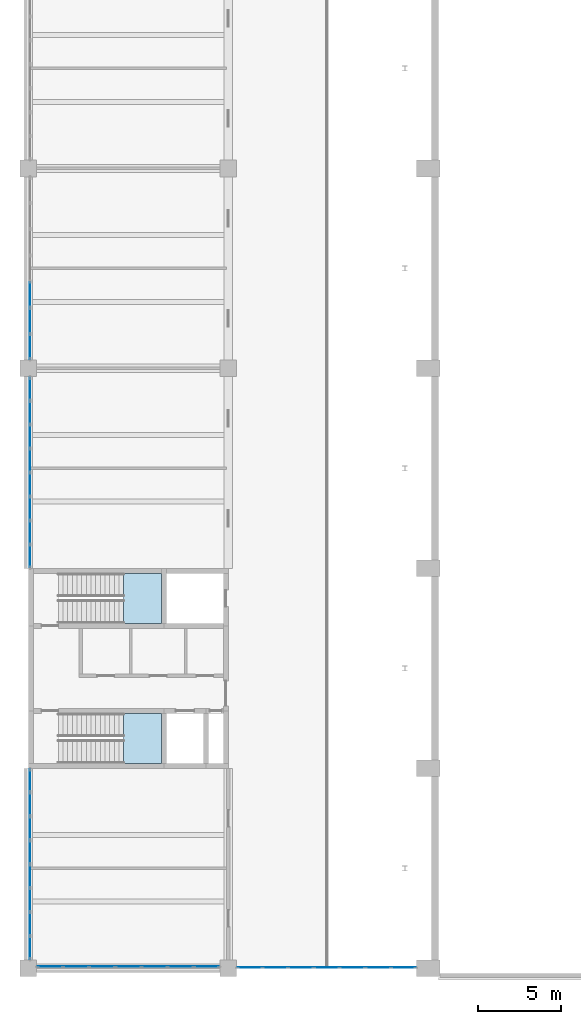
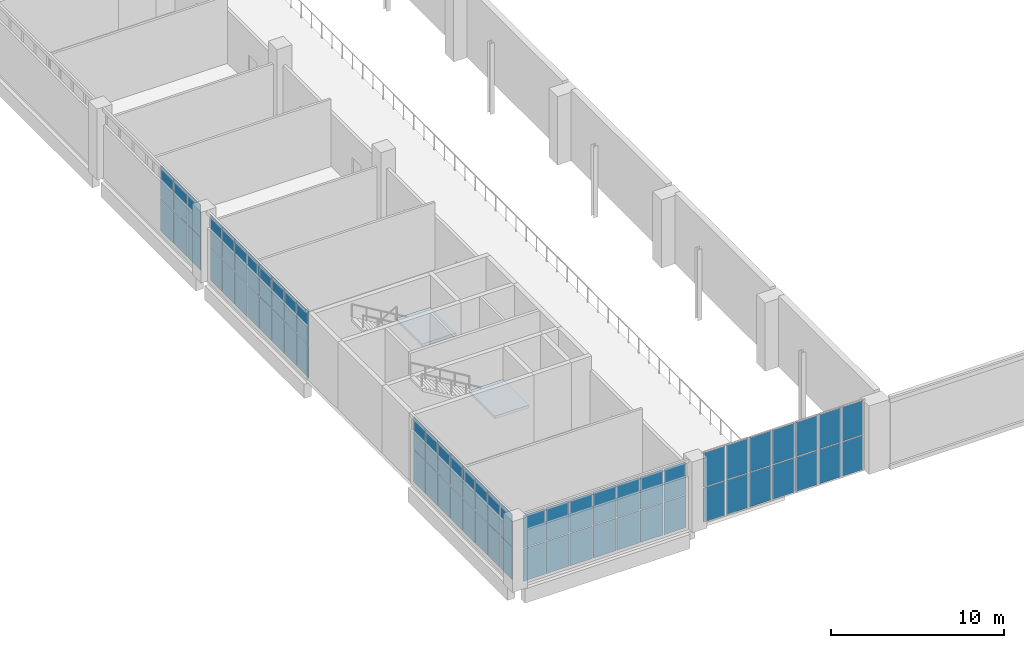
# One storey, part 42 of 69: 66 plates, 2 slabs, 7 elements without a shape of their own.
"""IFC4 building model written with IfcOpenShell, lengths in metres."""

from ifc_helpers import new_model, si_unit, direction, frame, origin, origin_2d, place, context, subcontext, project, spatial, polyline, rectangle, outline, extrude, material, layer, layer_set, type_object, element, aggregate, save


model = new_model("IFC4")

# Units and contexts
model_context = context("Model", 3, precision=1e-05, world=origin(), true_north=direction((0.0, 1.0)))
body_context = subcontext(model_context, "Body", "Model", "MODEL_VIEW")
ifc_project = project(units=[si_unit("LENGTHUNIT", "METRE"), si_unit("AREAUNIT", "SQUARE_METRE"), si_unit("VOLUMEUNIT", "CUBIC_METRE"), si_unit("PLANEANGLEUNIT", "RADIAN"), si_unit("MASSUNIT", "GRAM", prefix="KILO")], contexts=[model_context])

# Site, building, storey
site_placement = place(None, origin())
site = spatial("IfcSite", under=ifc_project, at=site_placement, CompositionType="ELEMENT")
building_placement = place(site_placement, origin())
building = spatial("IfcBuilding", under=site, at=building_placement, Name="Lilac Gate Convention Centre", CompositionType="ELEMENT")
storey_placement = place(building_placement, frame((0.0, 0.0, 12.0)))
storey = spatial("IfcBuildingStorey", under=building, at=storey_placement, Name="L02", CompositionType="ELEMENT", Elevation=12.0)

# Curtain wall, plates
ifc_material_1 = material(Name="Aluminium framed double glazing", Category="aluminium")
ifc_layer_1 = layer(ifc_material_1, 0.199951171875)
ifc_layer_set_1 = layer_set([ifc_layer_1], Name="Aluminium framed double glazing")
curtain_wall_type = type_object("IfcCurtainWallType", Name="Unitised curtain wall 1500", PredefinedType="NOTDEFINED", material=ifc_layer_set_1)
curtain_wall_1_placement = place(storey_placement, origin())
curtain_wall_1 = element("IfcCurtainWall", 1, at=curtain_wall_1_placement, inside=storey, type_object=curtain_wall_type, Name="Curtain wall PW L02 10", PredefinedType="NOTDEFINED")
ifc_material_2 = material(Name="Double glazed unit low emissivity")
ifc_layer_2 = layer(ifc_material_2, 0.028076171875)
ifc_layer_set_2 = layer_set([ifc_layer_2], Name="Double glazed unit low emissivity")
plate_type_1 = type_object("IfcPlateType", Name="Curtain wall glass panel 28", PredefinedType="CURTAIN_PANEL", material=ifc_layer_set_2)
plate_1_placement = place(storey_placement, frame((6.10009765625, 70.428466796875, 2.4052734375), z_axis=(0.0, 0.0, 1.0), x_axis=(0.0, -1.0, 0.0)))
plate_1 = element("IfcPlate", 2, at=plate_1_placement, type_object=plate_type_1, Name="CW panel 5.2", PredefinedType="CURTAIN_PANEL", context=body_context, shape_type="SweptSolid", body=[
    extrude(rectangle(XDim=1.511474609375, YDim=0.028076171875, at=origin_2d()), origin(), (0.0, 0.0, 1.0), 2.284912109375),
])
plate_2_placement = place(storey_placement, frame((6.10009765625, 68.857177734375, 2.4052734375), z_axis=(0.0, 0.0, 1.0), x_axis=(0.0, -1.0, 0.0)))
plate_2 = element("IfcPlate", 3, at=plate_2_placement, type_object=plate_type_1, Name="CW panel 6.2", PredefinedType="CURTAIN_PANEL", context=body_context, shape_type="SweptSolid", body=[
    extrude(rectangle(XDim=1.511474609375, YDim=0.028076171875, at=origin_2d()), origin(), (0.0, 0.0, 1.0), 2.284912109375),
])
plate_3_placement = place(storey_placement, frame((6.10009765625, 67.30078125, 2.4052734375), z_axis=(0.0, 0.0, 1.0), x_axis=(0.0, -1.0, 0.0)))
plate_3 = element("IfcPlate", 4, at=plate_3_placement, type_object=plate_type_1, Name="CW panel 7.2", PredefinedType="CURTAIN_PANEL", context=body_context, shape_type="SweptSolid", body=[
    extrude(rectangle(XDim=1.4814453125, YDim=0.028076171875, at=origin_2d()), origin(), (0.0, 0.0, 1.0), 2.284912109375),
])

curtain_wall_2_placement = place(storey_placement, origin())
curtain_wall_2 = element("IfcCurtainWall", 5, at=curtain_wall_2_placement, inside=storey, type_object=curtain_wall_type, Name="Curtain wall PW L02 11", PredefinedType="NOTDEFINED")
plate_4_placement = place(storey_placement, frame((6.10009765625, 64.766357421875, 2.4052734375), z_axis=(0.0, 0.0, 1.0), x_axis=(0.0, -1.0, 0.0)))
plate_4 = element("IfcPlate", 6, at=plate_4_placement, type_object=plate_type_1, Name="CW panel 1.2", PredefinedType="CURTAIN_PANEL", context=body_context, shape_type="SweptSolid", body=[
    extrude(rectangle(XDim=1.347412109375, YDim=0.028076171875, at=origin_2d()), origin(), (0.0, 0.0, 1.0), 2.284912109375),
])
plate_5_placement = place(storey_placement, frame((6.10009765625, 63.34375, 2.4052734375), z_axis=(0.0, 0.0, 1.0), x_axis=(0.0, -1.0, 0.0)))
plate_5 = element("IfcPlate", 7, at=plate_5_placement, type_object=plate_type_1, Name="CW panel 2.2", PredefinedType="CURTAIN_PANEL", context=body_context, shape_type="SweptSolid", body=[
    extrude(rectangle(XDim=1.37744140625, YDim=0.028076171875, at=origin_2d()), origin(), (0.0, 0.0, 1.0), 2.284912109375),
])
plate_6_placement = place(storey_placement, frame((6.10009765625, 61.90625, 2.4052734375), z_axis=(0.0, 0.0, 1.0), x_axis=(0.0, -1.0, 0.0)))
plate_6 = element("IfcPlate", 8, at=plate_6_placement, type_object=plate_type_1, Name="CW panel 3.2", PredefinedType="CURTAIN_PANEL", context=body_context, shape_type="SweptSolid", body=[
    extrude(rectangle(XDim=1.37744140625, YDim=0.028076171875, at=origin_2d()), origin(), (0.0, 0.0, 1.0), 2.284912109375),
])
plate_7_placement = place(storey_placement, frame((6.10009765625, 60.46875, 2.4052734375), z_axis=(0.0, 0.0, 1.0), x_axis=(0.0, -1.0, 0.0)))
plate_7 = element("IfcPlate", 9, at=plate_7_placement, type_object=plate_type_1, Name="CW panel 4.2", PredefinedType="CURTAIN_PANEL", context=body_context, shape_type="SweptSolid", body=[
    extrude(rectangle(XDim=1.37744140625, YDim=0.028076171875, at=origin_2d()), origin(), (0.0, 0.0, 1.0), 2.284912109375),
])
plate_8_placement = place(storey_placement, frame((6.10009765625, 59.03125, 2.4052734375), z_axis=(0.0, 0.0, 1.0), x_axis=(0.0, -1.0, 0.0)))
plate_8 = element("IfcPlate", 10, at=plate_8_placement, type_object=plate_type_1, Name="CW panel 5.2", PredefinedType="CURTAIN_PANEL", context=body_context, shape_type="SweptSolid", body=[
    extrude(rectangle(XDim=1.37744140625, YDim=0.028076171875, at=origin_2d()), origin(), (0.0, 0.0, 1.0), 2.284912109375),
])
plate_9_placement = place(storey_placement, frame((6.10009765625, 57.59375, 2.4052734375), z_axis=(0.0, 0.0, 1.0), x_axis=(0.0, -1.0, 0.0)))
plate_9 = element("IfcPlate", 11, at=plate_9_placement, type_object=plate_type_1, Name="CW panel 6.2", PredefinedType="CURTAIN_PANEL", context=body_context, shape_type="SweptSolid", body=[
    extrude(rectangle(XDim=1.37744140625, YDim=0.028076171875, at=origin_2d()), origin(), (0.0, 0.0, 1.0), 2.284912109375),
])
plate_10_placement = place(storey_placement, frame((6.10009765625, 56.15625, 2.4052734375), z_axis=(0.0, 0.0, 1.0), x_axis=(0.0, -1.0, 0.0)))
plate_10 = element("IfcPlate", 12, at=plate_10_placement, type_object=plate_type_1, Name="CW panel 7.2", PredefinedType="CURTAIN_PANEL", context=body_context, shape_type="SweptSolid", body=[
    extrude(rectangle(XDim=1.37744140625, YDim=0.028076171875, at=origin_2d()), origin(), (0.0, 0.0, 1.0), 2.284912109375),
])
plate_11_placement = place(storey_placement, frame((6.10009765625, 54.733642578125, 2.4052734375), z_axis=(0.0, 0.0, 1.0), x_axis=(0.0, -1.0, 0.0)))
plate_11 = element("IfcPlate", 13, at=plate_11_placement, type_object=plate_type_1, Name="CW panel 8.2", PredefinedType="CURTAIN_PANEL", context=body_context, shape_type="SweptSolid", body=[
    extrude(rectangle(XDim=1.347412109375, YDim=0.028076171875, at=origin_2d()), origin(), (0.0, 0.0, 1.0), 2.284912109375),
])

curtain_wall_3_placement = place(storey_placement, origin())
curtain_wall_3 = element("IfcCurtainWall", 14, at=curtain_wall_3_placement, inside=storey, type_object=curtain_wall_type, Name="Curtain wall PW L02 12", PredefinedType="NOTDEFINED")
plate_12_placement = place(storey_placement, frame((6.10009765625, 41.266357421875, 2.4052734375), z_axis=(0.0, 0.0, 1.0), x_axis=(0.0, -1.0, 0.0)))
plate_12 = element("IfcPlate", 15, at=plate_12_placement, type_object=plate_type_1, Name="CW panel 1.2", PredefinedType="CURTAIN_PANEL", context=body_context, shape_type="SweptSolid", body=[
    extrude(rectangle(XDim=1.347412109375, YDim=0.028076171875, at=origin_2d()), origin(), (0.0, 0.0, 1.0), 2.284912109375),
])
plate_13_placement = place(storey_placement, frame((6.10009765625, 39.84375, 2.4052734375), z_axis=(0.0, 0.0, 1.0), x_axis=(0.0, -1.0, 0.0)))
plate_13 = element("IfcPlate", 16, at=plate_13_placement, type_object=plate_type_1, Name="CW panel 2.2", PredefinedType="CURTAIN_PANEL", context=body_context, shape_type="SweptSolid", body=[
    extrude(rectangle(XDim=1.37744140625, YDim=0.028076171875, at=origin_2d()), origin(), (0.0, 0.0, 1.0), 2.284912109375),
])
plate_14_placement = place(storey_placement, frame((6.10009765625, 38.40625, 2.4052734375), z_axis=(0.0, 0.0, 1.0), x_axis=(0.0, -1.0, 0.0)))
plate_14 = element("IfcPlate", 17, at=plate_14_placement, type_object=plate_type_1, Name="CW panel 3.2", PredefinedType="CURTAIN_PANEL", context=body_context, shape_type="SweptSolid", body=[
    extrude(rectangle(XDim=1.37744140625, YDim=0.028076171875, at=origin_2d()), origin(), (0.0, 0.0, 1.0), 2.284912109375),
])
plate_15_placement = place(storey_placement, frame((6.10009765625, 36.96875, 2.4052734375), z_axis=(0.0, 0.0, 1.0), x_axis=(0.0, -1.0, 0.0)))
plate_15 = element("IfcPlate", 18, at=plate_15_placement, type_object=plate_type_1, Name="CW panel 4.2", PredefinedType="CURTAIN_PANEL", context=body_context, shape_type="SweptSolid", body=[
    extrude(rectangle(XDim=1.37744140625, YDim=0.028076171875, at=origin_2d()), origin(), (0.0, 0.0, 1.0), 2.284912109375),
])
plate_16_placement = place(storey_placement, frame((6.10009765625, 35.53125, 2.4052734375), z_axis=(0.0, 0.0, 1.0), x_axis=(0.0, -1.0, 0.0)))
plate_16 = element("IfcPlate", 19, at=plate_16_placement, type_object=plate_type_1, Name="CW panel 5.2", PredefinedType="CURTAIN_PANEL", context=body_context, shape_type="SweptSolid", body=[
    extrude(rectangle(XDim=1.37744140625, YDim=0.028076171875, at=origin_2d()), origin(), (0.0, 0.0, 1.0), 2.284912109375),
])
plate_17_placement = place(storey_placement, frame((6.10009765625, 34.09375, 2.4052734375), z_axis=(0.0, 0.0, 1.0), x_axis=(0.0, -1.0, 0.0)))
plate_17 = element("IfcPlate", 20, at=plate_17_placement, type_object=plate_type_1, Name="CW panel 6.2", PredefinedType="CURTAIN_PANEL", context=body_context, shape_type="SweptSolid", body=[
    extrude(rectangle(XDim=1.37744140625, YDim=0.028076171875, at=origin_2d()), origin(), (0.0, 0.0, 1.0), 2.284912109375),
])
plate_18_placement = place(storey_placement, frame((6.10009765625, 32.65625, 2.4052734375), z_axis=(0.0, 0.0, 1.0), x_axis=(0.0, -1.0, 0.0)))
plate_18 = element("IfcPlate", 21, at=plate_18_placement, type_object=plate_type_1, Name="CW panel 7.2", PredefinedType="CURTAIN_PANEL", context=body_context, shape_type="SweptSolid", body=[
    extrude(rectangle(XDim=1.37744140625, YDim=0.028076171875, at=origin_2d()), origin(), (0.0, 0.0, 1.0), 2.284912109375),
])
plate_19_placement = place(storey_placement, frame((6.10009765625, 31.233642578125, 2.4052734375), z_axis=(0.0, 0.0, 1.0), x_axis=(0.0, -1.0, 0.0)))
plate_19 = element("IfcPlate", 22, at=plate_19_placement, type_object=plate_type_1, Name="CW panel 8.2", PredefinedType="CURTAIN_PANEL", context=body_context, shape_type="SweptSolid", body=[
    extrude(rectangle(XDim=1.347412109375, YDim=0.028076171875, at=origin_2d()), origin(), (0.0, 0.0, 1.0), 2.284912109375),
])

curtain_wall_4_placement = place(storey_placement, origin())
curtain_wall_4 = element("IfcCurtainWall", 23, at=curtain_wall_4_placement, inside=storey, type_object=curtain_wall_type, Name="Curtain wall PS L02 1", PredefinedType="NOTDEFINED")
plate_20_placement = place(storey_placement, frame((7.30078125, 30.10009765625, 2.4052734375), z_axis=(0.0, 0.0, 1.0), x_axis=(1.0, 0.0, 0.0)))
plate_20 = element("IfcPlate", 24, at=plate_20_placement, type_object=plate_type_1, Name="CW panel 1.2", PredefinedType="CURTAIN_PANEL", context=body_context, shape_type="SweptSolid", body=[
    extrude(rectangle(XDim=1.4814453125, YDim=0.028076171875, at=origin_2d()), origin(), (0.0, 0.0, 1.0), 2.284912109375),
])
plate_21_placement = place(storey_placement, frame((8.857177734375, 30.10009765625, 2.4052734375), z_axis=(0.0, 0.0, 1.0), x_axis=(1.0, 0.0, 0.0)))
plate_21 = element("IfcPlate", 25, at=plate_21_placement, type_object=plate_type_1, Name="CW panel 2.2", PredefinedType="CURTAIN_PANEL", context=body_context, shape_type="SweptSolid", body=[
    extrude(rectangle(XDim=1.511474609375, YDim=0.028076171875, at=origin_2d()), origin(), (0.0, 0.0, 1.0), 2.284912109375),
])
plate_22_placement = place(storey_placement, frame((10.428466796875, 30.10009765625, 2.4052734375), z_axis=(0.0, 0.0, 1.0), x_axis=(1.0, 0.0, 0.0)))
plate_22 = element("IfcPlate", 26, at=plate_22_placement, type_object=plate_type_1, Name="CW panel 3.2", PredefinedType="CURTAIN_PANEL", context=body_context, shape_type="SweptSolid", body=[
    extrude(rectangle(XDim=1.511474609375, YDim=0.028076171875, at=origin_2d()), origin(), (0.0, 0.0, 1.0), 2.284912109375),
])
plate_23_placement = place(storey_placement, frame((12.0, 30.10009765625, 2.4052734375), z_axis=(0.0, 0.0, 1.0), x_axis=(1.0, 0.0, 0.0)))
plate_23 = element("IfcPlate", 27, at=plate_23_placement, type_object=plate_type_1, Name="CW panel 4.2", PredefinedType="CURTAIN_PANEL", context=body_context, shape_type="SweptSolid", body=[
    extrude(rectangle(XDim=1.511474609375, YDim=0.028076171875, at=origin_2d()), origin(), (0.0, 0.0, 1.0), 2.284912109375),
])
plate_24_placement = place(storey_placement, frame((13.571533203125, 30.10009765625, 2.4052734375), z_axis=(0.0, 0.0, 1.0), x_axis=(1.0, 0.0, 0.0)))
plate_24 = element("IfcPlate", 28, at=plate_24_placement, type_object=plate_type_1, Name="CW panel 5.2", PredefinedType="CURTAIN_PANEL", context=body_context, shape_type="SweptSolid", body=[
    extrude(rectangle(XDim=1.511474609375, YDim=0.028076171875, at=origin_2d()), origin(), (0.0, 0.0, 1.0), 2.284912109375),
])
plate_25_placement = place(storey_placement, frame((15.142822265625, 30.10009765625, 2.4052734375), z_axis=(0.0, 0.0, 1.0), x_axis=(1.0, 0.0, 0.0)))
plate_25 = element("IfcPlate", 29, at=plate_25_placement, type_object=plate_type_1, Name="CW panel 6.2", PredefinedType="CURTAIN_PANEL", context=body_context, shape_type="SweptSolid", body=[
    extrude(rectangle(XDim=1.511474609375, YDim=0.028076171875, at=origin_2d()), origin(), (0.0, 0.0, 1.0), 2.284912109375),
])
plate_26_placement = place(storey_placement, frame((16.69921875, 30.10009765625, 2.4052734375), z_axis=(0.0, 0.0, 1.0), x_axis=(1.0, 0.0, 0.0)))
plate_26 = element("IfcPlate", 30, at=plate_26_placement, type_object=plate_type_1, Name="CW panel 7.2", PredefinedType="CURTAIN_PANEL", context=body_context, shape_type="SweptSolid", body=[
    extrude(rectangle(XDim=1.4814453125, YDim=0.028076171875, at=origin_2d()), origin(), (0.0, 0.0, 1.0), 2.284912109375),
])

curtain_wall_5_placement = place(storey_placement, origin())
curtain_wall_5 = element("IfcCurtainWall", 31, at=curtain_wall_5_placement, inside=storey, type_object=curtain_wall_type, Name="Galleria end glazing L02", PredefinedType="NOTDEFINED")
plate_27_placement = place(storey_placement, frame((19.286376953125, 30.050048828125, 0.06005859375), z_axis=(0.0, 0.0, 1.0), x_axis=(1.0, 0.0, 0.0)))
plate_27 = element("IfcPlate", 32, at=plate_27_placement, type_object=plate_type_1, Name="CW panel 1.1", PredefinedType="CURTAIN_PANEL", context=body_context, shape_type="SweptSolid", body=[
    extrude(rectangle(XDim=1.452880859375, YDim=0.028076171875, at=origin_2d()), origin(), (0.0, 0.0, 1.0), 2.409912109375),
])
plate_28_placement = place(storey_placement, frame((19.286376953125, 30.050048828125, 2.5302734375), z_axis=(0.0, 0.0, 1.0), x_axis=(1.0, 0.0, 0.0)))
plate_28 = element("IfcPlate", 33, at=plate_28_placement, type_object=plate_type_1, Name="CW panel 1.2", PredefinedType="CURTAIN_PANEL", context=body_context, shape_type="SweptSolid", body=[
    extrude(rectangle(XDim=1.452880859375, YDim=0.028076171875, at=origin_2d()), origin(), (0.0, 0.0, 1.0), 2.409912109375),
])
plate_29_placement = place(storey_placement, frame((20.814208984375, 30.050048828125, 0.06005859375), z_axis=(0.0, 0.0, 1.0), x_axis=(1.0, 0.0, 0.0)))
plate_29 = element("IfcPlate", 34, at=plate_29_placement, type_object=plate_type_1, Name="CW panel 2.1", PredefinedType="CURTAIN_PANEL", context=body_context, shape_type="SweptSolid", body=[
    extrude(rectangle(XDim=1.48291015625, YDim=0.028076171875, at=origin_2d()), origin(), (0.0, 0.0, 1.0), 2.409912109375),
])
plate_30_placement = place(storey_placement, frame((20.814208984375, 30.050048828125, 2.5302734375), z_axis=(0.0, 0.0, 1.0), x_axis=(1.0, 0.0, 0.0)))
plate_30 = element("IfcPlate", 35, at=plate_30_placement, type_object=plate_type_1, Name="CW panel 2.2", PredefinedType="CURTAIN_PANEL", context=body_context, shape_type="SweptSolid", body=[
    extrude(rectangle(XDim=1.48291015625, YDim=0.028076171875, at=origin_2d()), origin(), (0.0, 0.0, 1.0), 2.409912109375),
])
plate_31_placement = place(storey_placement, frame((22.357177734375, 30.050048828125, 0.06005859375), z_axis=(0.0, 0.0, 1.0), x_axis=(1.0, 0.0, 0.0)))
plate_31 = element("IfcPlate", 36, at=plate_31_placement, type_object=plate_type_1, Name="CW panel 3.1", PredefinedType="CURTAIN_PANEL", context=body_context, shape_type="SweptSolid", body=[
    extrude(rectangle(XDim=1.48291015625, YDim=0.028076171875, at=origin_2d()), origin(), (0.0, 0.0, 1.0), 2.409912109375),
])
plate_32_placement = place(storey_placement, frame((22.357177734375, 30.050048828125, 2.5302734375), z_axis=(0.0, 0.0, 1.0), x_axis=(1.0, 0.0, 0.0)))
plate_32 = element("IfcPlate", 37, at=plate_32_placement, type_object=plate_type_1, Name="CW panel 3.2", PredefinedType="CURTAIN_PANEL", context=body_context, shape_type="SweptSolid", body=[
    extrude(rectangle(XDim=1.48291015625, YDim=0.028076171875, at=origin_2d()), origin(), (0.0, 0.0, 1.0), 2.409912109375),
])
plate_33_placement = place(storey_placement, frame((23.89990234375, 30.050048828125, 0.06005859375), z_axis=(0.0, 0.0, 1.0), x_axis=(1.0, 0.0, 0.0)))
plate_33 = element("IfcPlate", 38, at=plate_33_placement, type_object=plate_type_1, Name="CW panel 4.1", PredefinedType="CURTAIN_PANEL", context=body_context, shape_type="SweptSolid", body=[
    extrude(rectangle(XDim=1.48291015625, YDim=0.028076171875, at=origin_2d()), origin(), (0.0, 0.0, 1.0), 2.409912109375),
])
plate_34_placement = place(storey_placement, frame((23.89990234375, 30.050048828125, 2.5302734375), z_axis=(0.0, 0.0, 1.0), x_axis=(1.0, 0.0, 0.0)))
plate_34 = element("IfcPlate", 39, at=plate_34_placement, type_object=plate_type_1, Name="CW panel 4.2", PredefinedType="CURTAIN_PANEL", context=body_context, shape_type="SweptSolid", body=[
    extrude(rectangle(XDim=1.48291015625, YDim=0.028076171875, at=origin_2d()), origin(), (0.0, 0.0, 1.0), 2.409912109375),
])
plate_35_placement = place(storey_placement, frame((25.44287109375, 30.050048828125, 0.06005859375), z_axis=(0.0, 0.0, 1.0), x_axis=(1.0, 0.0, 0.0)))
plate_35 = element("IfcPlate", 40, at=plate_35_placement, type_object=plate_type_1, Name="CW panel 5.1", PredefinedType="CURTAIN_PANEL", context=body_context, shape_type="SweptSolid", body=[
    extrude(rectangle(XDim=1.48291015625, YDim=0.028076171875, at=origin_2d()), origin(), (0.0, 0.0, 1.0), 2.409912109375),
])
plate_36_placement = place(storey_placement, frame((25.44287109375, 30.050048828125, 2.5302734375), z_axis=(0.0, 0.0, 1.0), x_axis=(1.0, 0.0, 0.0)))
plate_36 = element("IfcPlate", 41, at=plate_36_placement, type_object=plate_type_1, Name="CW panel 5.2", PredefinedType="CURTAIN_PANEL", context=body_context, shape_type="SweptSolid", body=[
    extrude(rectangle(XDim=1.48291015625, YDim=0.028076171875, at=origin_2d()), origin(), (0.0, 0.0, 1.0), 2.409912109375),
])
plate_37_placement = place(storey_placement, frame((26.98583984375, 30.050048828125, 0.06005859375), z_axis=(0.0, 0.0, 1.0), x_axis=(1.0, 0.0, 0.0)))
plate_37 = element("IfcPlate", 42, at=plate_37_placement, type_object=plate_type_1, Name="CW panel 6.1", PredefinedType="CURTAIN_PANEL", context=body_context, shape_type="SweptSolid", body=[
    extrude(rectangle(XDim=1.48291015625, YDim=0.028076171875, at=origin_2d()), origin(), (0.0, 0.0, 1.0), 2.409912109375),
])
plate_38_placement = place(storey_placement, frame((26.98583984375, 30.050048828125, 2.5302734375), z_axis=(0.0, 0.0, 1.0), x_axis=(1.0, 0.0, 0.0)))
plate_38 = element("IfcPlate", 43, at=plate_38_placement, type_object=plate_type_1, Name="CW panel 6.2", PredefinedType="CURTAIN_PANEL", context=body_context, shape_type="SweptSolid", body=[
    extrude(rectangle(XDim=1.48291015625, YDim=0.028076171875, at=origin_2d()), origin(), (0.0, 0.0, 1.0), 2.409912109375),
])
plate_39_placement = place(storey_placement, frame((28.513671875, 30.050048828125, 0.06005859375), z_axis=(0.0, 0.0, 1.0), x_axis=(1.0, 0.0, 0.0)))
plate_39 = element("IfcPlate", 44, at=plate_39_placement, type_object=plate_type_1, Name="CW panel 7.1", PredefinedType="CURTAIN_PANEL", context=body_context, shape_type="SweptSolid", body=[
    extrude(rectangle(XDim=1.452880859375, YDim=0.028076171875, at=origin_2d()), origin(), (0.0, 0.0, 1.0), 2.409912109375),
])
plate_40_placement = place(storey_placement, frame((28.513671875, 30.050048828125, 2.5302734375), z_axis=(0.0, 0.0, 1.0), x_axis=(1.0, 0.0, 0.0)))
plate_40 = element("IfcPlate", 45, at=plate_40_placement, type_object=plate_type_1, Name="CW panel 7.2", PredefinedType="CURTAIN_PANEL", context=body_context, shape_type="SweptSolid", body=[
    extrude(rectangle(XDim=1.452880859375, YDim=0.028076171875, at=origin_2d()), origin(), (0.0, 0.0, 1.0), 2.409912109375),
])
aggregate(curtain_wall_5, [plate_27, plate_28, plate_29, plate_30, plate_31, plate_32, plate_33, plate_34, plate_35, plate_36, plate_37, plate_38, plate_39, plate_40])

# Plate
ifc_material_3 = material(Name="Insulated aluminium spandrel panel", Category="aluminium")
ifc_layer_3 = layer(ifc_material_3, 0.028076171875)
ifc_layer_set_3 = layer_set([ifc_layer_3], Name="Insulated aluminium spandrel panel")
plate_type_2 = type_object("IfcPlateType", Name="Curtain wall spandrel panel 28", PredefinedType="CURTAIN_PANEL", material=ifc_layer_set_3)
plate_41_placement = place(storey_placement, frame((6.10009765625, 70.428466796875, 0.06005859375), z_axis=(0.0, 0.0, 1.0), x_axis=(0.0, -1.0, 0.0)))
plate_41 = element("IfcPlate", 46, at=plate_41_placement, type_object=plate_type_2, Name="CW spandrel 5.1", PredefinedType="CURTAIN_PANEL", context=body_context, shape_type="SweptSolid", body=[
    extrude(rectangle(XDim=1.511474609375, YDim=0.028076171875, at=origin_2d()), origin(), (0.0, 0.0, 1.0), 2.284912109375),
])

plate_42_placement = place(storey_placement, frame((6.10009765625, 68.857177734375, 0.06005859375), z_axis=(0.0, 0.0, 1.0), x_axis=(0.0, -1.0, 0.0)))
plate_42 = element("IfcPlate", 47, at=plate_42_placement, type_object=plate_type_2, Name="CW spandrel 6.1", PredefinedType="CURTAIN_PANEL", context=body_context, shape_type="SweptSolid", body=[
    extrude(rectangle(XDim=1.511474609375, YDim=0.028076171875, at=origin_2d()), origin(), (0.0, 0.0, 1.0), 2.284912109375),
])

plate_43_placement = place(storey_placement, frame((6.10009765625, 67.30078125, 0.06005859375), z_axis=(0.0, 0.0, 1.0), x_axis=(0.0, -1.0, 0.0)))
plate_43 = element("IfcPlate", 48, at=plate_43_placement, type_object=plate_type_2, Name="CW spandrel 7.1", PredefinedType="CURTAIN_PANEL", context=body_context, shape_type="SweptSolid", body=[
    extrude(rectangle(XDim=1.4814453125, YDim=0.028076171875, at=origin_2d()), origin(), (0.0, 0.0, 1.0), 2.284912109375),
])

aggregate(curtain_wall_1, [plate_41, plate_1, plate_42, plate_2, plate_43, plate_3])

plate_44_placement = place(storey_placement, frame((6.10009765625, 64.766357421875, 0.06005859375), z_axis=(0.0, 0.0, 1.0), x_axis=(0.0, -1.0, 0.0)))
plate_44 = element("IfcPlate", 49, at=plate_44_placement, type_object=plate_type_2, Name="CW spandrel 1.1", PredefinedType="CURTAIN_PANEL", context=body_context, shape_type="SweptSolid", body=[
    extrude(rectangle(XDim=1.347412109375, YDim=0.028076171875, at=origin_2d()), origin(), (0.0, 0.0, 1.0), 2.284912109375),
])

plate_45_placement = place(storey_placement, frame((6.10009765625, 63.34375, 0.06005859375), z_axis=(0.0, 0.0, 1.0), x_axis=(0.0, -1.0, 0.0)))
plate_45 = element("IfcPlate", 50, at=plate_45_placement, type_object=plate_type_2, Name="CW spandrel 2.1", PredefinedType="CURTAIN_PANEL", context=body_context, shape_type="SweptSolid", body=[
    extrude(rectangle(XDim=1.37744140625, YDim=0.028076171875, at=origin_2d()), origin(), (0.0, 0.0, 1.0), 2.284912109375),
])

plate_46_placement = place(storey_placement, frame((6.10009765625, 61.90625, 0.06005859375), z_axis=(0.0, 0.0, 1.0), x_axis=(0.0, -1.0, 0.0)))
plate_46 = element("IfcPlate", 51, at=plate_46_placement, type_object=plate_type_2, Name="CW spandrel 3.1", PredefinedType="CURTAIN_PANEL", context=body_context, shape_type="SweptSolid", body=[
    extrude(rectangle(XDim=1.37744140625, YDim=0.028076171875, at=origin_2d()), origin(), (0.0, 0.0, 1.0), 2.284912109375),
])

plate_47_placement = place(storey_placement, frame((6.10009765625, 60.46875, 0.06005859375), z_axis=(0.0, 0.0, 1.0), x_axis=(0.0, -1.0, 0.0)))
plate_47 = element("IfcPlate", 52, at=plate_47_placement, type_object=plate_type_2, Name="CW spandrel 4.1", PredefinedType="CURTAIN_PANEL", context=body_context, shape_type="SweptSolid", body=[
    extrude(rectangle(XDim=1.37744140625, YDim=0.028076171875, at=origin_2d()), origin(), (0.0, 0.0, 1.0), 2.284912109375),
])

plate_48_placement = place(storey_placement, frame((6.10009765625, 59.03125, 0.06005859375), z_axis=(0.0, 0.0, 1.0), x_axis=(0.0, -1.0, 0.0)))
plate_48 = element("IfcPlate", 53, at=plate_48_placement, type_object=plate_type_2, Name="CW spandrel 5.1", PredefinedType="CURTAIN_PANEL", context=body_context, shape_type="SweptSolid", body=[
    extrude(rectangle(XDim=1.37744140625, YDim=0.028076171875, at=origin_2d()), origin(), (0.0, 0.0, 1.0), 2.284912109375),
])

plate_49_placement = place(storey_placement, frame((6.10009765625, 57.59375, 0.06005859375), z_axis=(0.0, 0.0, 1.0), x_axis=(0.0, -1.0, 0.0)))
plate_49 = element("IfcPlate", 54, at=plate_49_placement, type_object=plate_type_2, Name="CW spandrel 6.1", PredefinedType="CURTAIN_PANEL", context=body_context, shape_type="SweptSolid", body=[
    extrude(rectangle(XDim=1.37744140625, YDim=0.028076171875, at=origin_2d()), origin(), (0.0, 0.0, 1.0), 2.284912109375),
])

plate_50_placement = place(storey_placement, frame((6.10009765625, 56.15625, 0.06005859375), z_axis=(0.0, 0.0, 1.0), x_axis=(0.0, -1.0, 0.0)))
plate_50 = element("IfcPlate", 55, at=plate_50_placement, type_object=plate_type_2, Name="CW spandrel 7.1", PredefinedType="CURTAIN_PANEL", context=body_context, shape_type="SweptSolid", body=[
    extrude(rectangle(XDim=1.37744140625, YDim=0.028076171875, at=origin_2d()), origin(), (0.0, 0.0, 1.0), 2.284912109375),
])

plate_51_placement = place(storey_placement, frame((6.10009765625, 54.733642578125, 0.06005859375), z_axis=(0.0, 0.0, 1.0), x_axis=(0.0, -1.0, 0.0)))
plate_51 = element("IfcPlate", 56, at=plate_51_placement, type_object=plate_type_2, Name="CW spandrel 8.1", PredefinedType="CURTAIN_PANEL", context=body_context, shape_type="SweptSolid", body=[
    extrude(rectangle(XDim=1.347412109375, YDim=0.028076171875, at=origin_2d()), origin(), (0.0, 0.0, 1.0), 2.284912109375),
])

aggregate(curtain_wall_2, [plate_44, plate_4, plate_45, plate_5, plate_46, plate_6, plate_47, plate_7, plate_48, plate_8, plate_49, plate_9, plate_50, plate_10, plate_51, plate_11])

plate_52_placement = place(storey_placement, frame((6.10009765625, 41.266357421875, 0.06005859375), z_axis=(0.0, 0.0, 1.0), x_axis=(0.0, -1.0, 0.0)))
plate_52 = element("IfcPlate", 57, at=plate_52_placement, type_object=plate_type_2, Name="CW spandrel 1.1", PredefinedType="CURTAIN_PANEL", context=body_context, shape_type="SweptSolid", body=[
    extrude(rectangle(XDim=1.347412109375, YDim=0.028076171875, at=origin_2d()), origin(), (0.0, 0.0, 1.0), 2.284912109375),
])

plate_53_placement = place(storey_placement, frame((6.10009765625, 39.84375, 0.06005859375), z_axis=(0.0, 0.0, 1.0), x_axis=(0.0, -1.0, 0.0)))
plate_53 = element("IfcPlate", 58, at=plate_53_placement, type_object=plate_type_2, Name="CW spandrel 2.1", PredefinedType="CURTAIN_PANEL", context=body_context, shape_type="SweptSolid", body=[
    extrude(rectangle(XDim=1.37744140625, YDim=0.028076171875, at=origin_2d()), origin(), (0.0, 0.0, 1.0), 2.284912109375),
])

plate_54_placement = place(storey_placement, frame((6.10009765625, 38.40625, 0.06005859375), z_axis=(0.0, 0.0, 1.0), x_axis=(0.0, -1.0, 0.0)))
plate_54 = element("IfcPlate", 59, at=plate_54_placement, type_object=plate_type_2, Name="CW spandrel 3.1", PredefinedType="CURTAIN_PANEL", context=body_context, shape_type="SweptSolid", body=[
    extrude(rectangle(XDim=1.37744140625, YDim=0.028076171875, at=origin_2d()), origin(), (0.0, 0.0, 1.0), 2.284912109375),
])

plate_55_placement = place(storey_placement, frame((6.10009765625, 36.96875, 0.06005859375), z_axis=(0.0, 0.0, 1.0), x_axis=(0.0, -1.0, 0.0)))
plate_55 = element("IfcPlate", 60, at=plate_55_placement, type_object=plate_type_2, Name="CW spandrel 4.1", PredefinedType="CURTAIN_PANEL", context=body_context, shape_type="SweptSolid", body=[
    extrude(rectangle(XDim=1.37744140625, YDim=0.028076171875, at=origin_2d()), origin(), (0.0, 0.0, 1.0), 2.284912109375),
])

plate_56_placement = place(storey_placement, frame((6.10009765625, 35.53125, 0.06005859375), z_axis=(0.0, 0.0, 1.0), x_axis=(0.0, -1.0, 0.0)))
plate_56 = element("IfcPlate", 61, at=plate_56_placement, type_object=plate_type_2, Name="CW spandrel 5.1", PredefinedType="CURTAIN_PANEL", context=body_context, shape_type="SweptSolid", body=[
    extrude(rectangle(XDim=1.37744140625, YDim=0.028076171875, at=origin_2d()), origin(), (0.0, 0.0, 1.0), 2.284912109375),
])

plate_57_placement = place(storey_placement, frame((6.10009765625, 34.09375, 0.06005859375), z_axis=(0.0, 0.0, 1.0), x_axis=(0.0, -1.0, 0.0)))
plate_57 = element("IfcPlate", 62, at=plate_57_placement, type_object=plate_type_2, Name="CW spandrel 6.1", PredefinedType="CURTAIN_PANEL", context=body_context, shape_type="SweptSolid", body=[
    extrude(rectangle(XDim=1.37744140625, YDim=0.028076171875, at=origin_2d()), origin(), (0.0, 0.0, 1.0), 2.284912109375),
])

plate_58_placement = place(storey_placement, frame((6.10009765625, 32.65625, 0.06005859375), z_axis=(0.0, 0.0, 1.0), x_axis=(0.0, -1.0, 0.0)))
plate_58 = element("IfcPlate", 63, at=plate_58_placement, type_object=plate_type_2, Name="CW spandrel 7.1", PredefinedType="CURTAIN_PANEL", context=body_context, shape_type="SweptSolid", body=[
    extrude(rectangle(XDim=1.37744140625, YDim=0.028076171875, at=origin_2d()), origin(), (0.0, 0.0, 1.0), 2.284912109375),
])

plate_59_placement = place(storey_placement, frame((6.10009765625, 31.233642578125, 0.06005859375), z_axis=(0.0, 0.0, 1.0), x_axis=(0.0, -1.0, 0.0)))
plate_59 = element("IfcPlate", 64, at=plate_59_placement, type_object=plate_type_2, Name="CW spandrel 8.1", PredefinedType="CURTAIN_PANEL", context=body_context, shape_type="SweptSolid", body=[
    extrude(rectangle(XDim=1.347412109375, YDim=0.028076171875, at=origin_2d()), origin(), (0.0, 0.0, 1.0), 2.284912109375),
])

aggregate(curtain_wall_3, [plate_52, plate_12, plate_53, plate_13, plate_54, plate_14, plate_55, plate_15, plate_56, plate_16, plate_57, plate_17, plate_58, plate_18, plate_59, plate_19])

plate_60_placement = place(storey_placement, frame((7.30078125, 30.10009765625, 0.06005859375), z_axis=(0.0, 0.0, 1.0), x_axis=(1.0, 0.0, 0.0)))
plate_60 = element("IfcPlate", 65, at=plate_60_placement, type_object=plate_type_2, Name="CW spandrel 1.1", PredefinedType="CURTAIN_PANEL", context=body_context, shape_type="SweptSolid", body=[
    extrude(rectangle(XDim=1.4814453125, YDim=0.028076171875, at=origin_2d()), origin(), (0.0, 0.0, 1.0), 2.284912109375),
])

plate_61_placement = place(storey_placement, frame((8.857177734375, 30.10009765625, 0.06005859375), z_axis=(0.0, 0.0, 1.0), x_axis=(1.0, 0.0, 0.0)))
plate_61 = element("IfcPlate", 66, at=plate_61_placement, type_object=plate_type_2, Name="CW spandrel 2.1", PredefinedType="CURTAIN_PANEL", context=body_context, shape_type="SweptSolid", body=[
    extrude(rectangle(XDim=1.511474609375, YDim=0.028076171875, at=origin_2d()), origin(), (0.0, 0.0, 1.0), 2.284912109375),
])

plate_62_placement = place(storey_placement, frame((10.428466796875, 30.10009765625, 0.06005859375), z_axis=(0.0, 0.0, 1.0), x_axis=(1.0, 0.0, 0.0)))
plate_62 = element("IfcPlate", 67, at=plate_62_placement, type_object=plate_type_2, Name="CW spandrel 3.1", PredefinedType="CURTAIN_PANEL", context=body_context, shape_type="SweptSolid", body=[
    extrude(rectangle(XDim=1.511474609375, YDim=0.028076171875, at=origin_2d()), origin(), (0.0, 0.0, 1.0), 2.284912109375),
])

plate_63_placement = place(storey_placement, frame((12.0, 30.10009765625, 0.06005859375), z_axis=(0.0, 0.0, 1.0), x_axis=(1.0, 0.0, 0.0)))
plate_63 = element("IfcPlate", 68, at=plate_63_placement, type_object=plate_type_2, Name="CW spandrel 4.1", PredefinedType="CURTAIN_PANEL", context=body_context, shape_type="SweptSolid", body=[
    extrude(rectangle(XDim=1.511474609375, YDim=0.028076171875, at=origin_2d()), origin(), (0.0, 0.0, 1.0), 2.284912109375),
])

plate_64_placement = place(storey_placement, frame((13.571533203125, 30.10009765625, 0.06005859375), z_axis=(0.0, 0.0, 1.0), x_axis=(1.0, 0.0, 0.0)))
plate_64 = element("IfcPlate", 69, at=plate_64_placement, type_object=plate_type_2, Name="CW spandrel 5.1", PredefinedType="CURTAIN_PANEL", context=body_context, shape_type="SweptSolid", body=[
    extrude(rectangle(XDim=1.511474609375, YDim=0.028076171875, at=origin_2d()), origin(), (0.0, 0.0, 1.0), 2.284912109375),
])

plate_65_placement = place(storey_placement, frame((15.142822265625, 30.10009765625, 0.06005859375), z_axis=(0.0, 0.0, 1.0), x_axis=(1.0, 0.0, 0.0)))
plate_65 = element("IfcPlate", 70, at=plate_65_placement, type_object=plate_type_2, Name="CW spandrel 6.1", PredefinedType="CURTAIN_PANEL", context=body_context, shape_type="SweptSolid", body=[
    extrude(rectangle(XDim=1.511474609375, YDim=0.028076171875, at=origin_2d()), origin(), (0.0, 0.0, 1.0), 2.284912109375),
])

plate_66_placement = place(storey_placement, frame((16.69921875, 30.10009765625, 0.06005859375), z_axis=(0.0, 0.0, 1.0), x_axis=(1.0, 0.0, 0.0)))
plate_66 = element("IfcPlate", 71, at=plate_66_placement, type_object=plate_type_2, Name="CW spandrel 7.1", PredefinedType="CURTAIN_PANEL", context=body_context, shape_type="SweptSolid", body=[
    extrude(rectangle(XDim=1.4814453125, YDim=0.028076171875, at=origin_2d()), origin(), (0.0, 0.0, 1.0), 2.284912109375),
])

aggregate(curtain_wall_4, [plate_60, plate_20, plate_61, plate_21, plate_62, plate_22, plate_63, plate_23, plate_64, plate_24, plate_65, plate_25, plate_66, plate_26])

# Stair, slab
ifc_material_4 = material(Name="Concrete C40", Category="concrete")
stair_type = type_object("IfcStairType", Name="Exit stair two flights", PredefinedType="HALF_TURN_STAIR", material=ifc_material_4)
stair_1_placement = place(storey_placement, origin())
stair_1 = element("IfcStair", 72, at=stair_1_placement, inside=storey, type_object=stair_type, Name="Exit stair W1A L02 to L03", PredefinedType="HALF_TURN_STAIR")
ifc_layer_4 = layer(ifc_material_4, 0.199951171875)
ifc_layer_set_4 = layer_set([ifc_layer_4], Name="Concrete C40")
slab_type = type_object("IfcSlabType", Name="Stair landing 200 precast", PredefinedType="LANDING", material=ifc_layer_set_4)
slab_1_placement = place(storey_placement, frame((0.0, 0.0, 2.300048828125)))
slab_1 = element("IfcSlab", 73, at=slab_1_placement, type_object=slab_type, Name="ST5 landing 1", PredefinedType="LANDING", context=body_context, shape_type="SweptSolid", body=[
    extrude(outline(polyline([(11.719970703125, 42.300048828125), (14.0, 42.300048828125), (14.0, 45.300048828125), (11.719970703125, 45.300048828125), (11.719970703125, 42.300048828125)])), origin(), (0.0, 0.0, 1.0), 0.199951171875),
])
aggregate(stair_1, [slab_1])

stair_2_placement = place(storey_placement, origin())
stair_2 = element("IfcStair", 74, at=stair_2_placement, inside=storey, type_object=stair_type, Name="Exit stair W1B L02 to L03", PredefinedType="HALF_TURN_STAIR")
slab_2_placement = place(storey_placement, frame((0.0, 0.0, 2.300048828125)))
slab_2 = element("IfcSlab", 75, at=slab_2_placement, type_object=slab_type, Name="ST6 landing 1", PredefinedType="LANDING", context=body_context, shape_type="SweptSolid", body=[
    extrude(outline(polyline([(11.719970703125, 50.699951171875), (14.0, 50.699951171875), (14.0, 53.699951171875), (11.719970703125, 53.699951171875), (11.719970703125, 50.699951171875)])), origin(), (0.0, 0.0, 1.0), 0.199951171875),
])
aggregate(stair_2, [slab_2])

save(model, "model.ifc")
